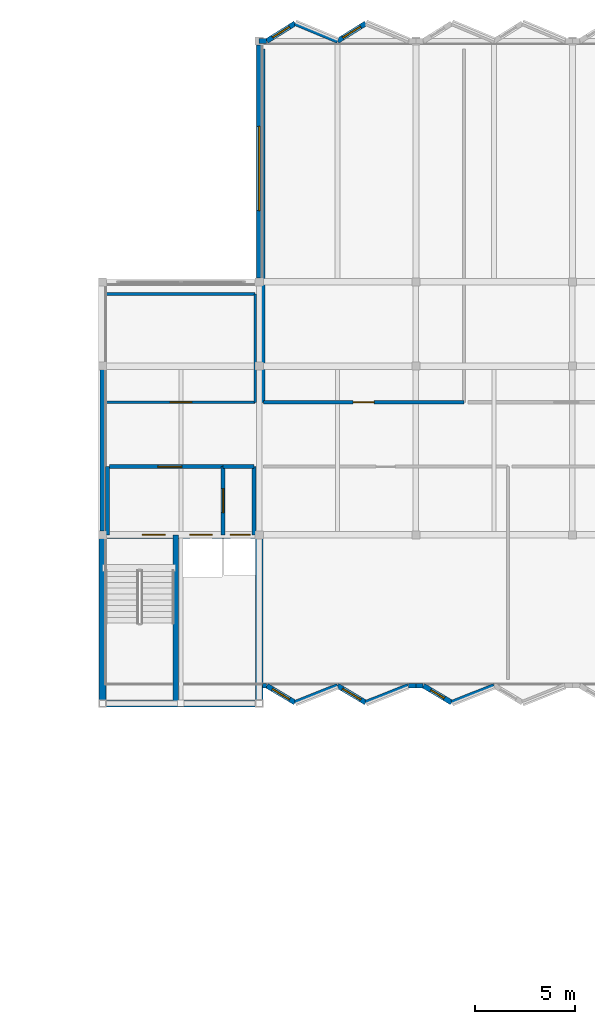
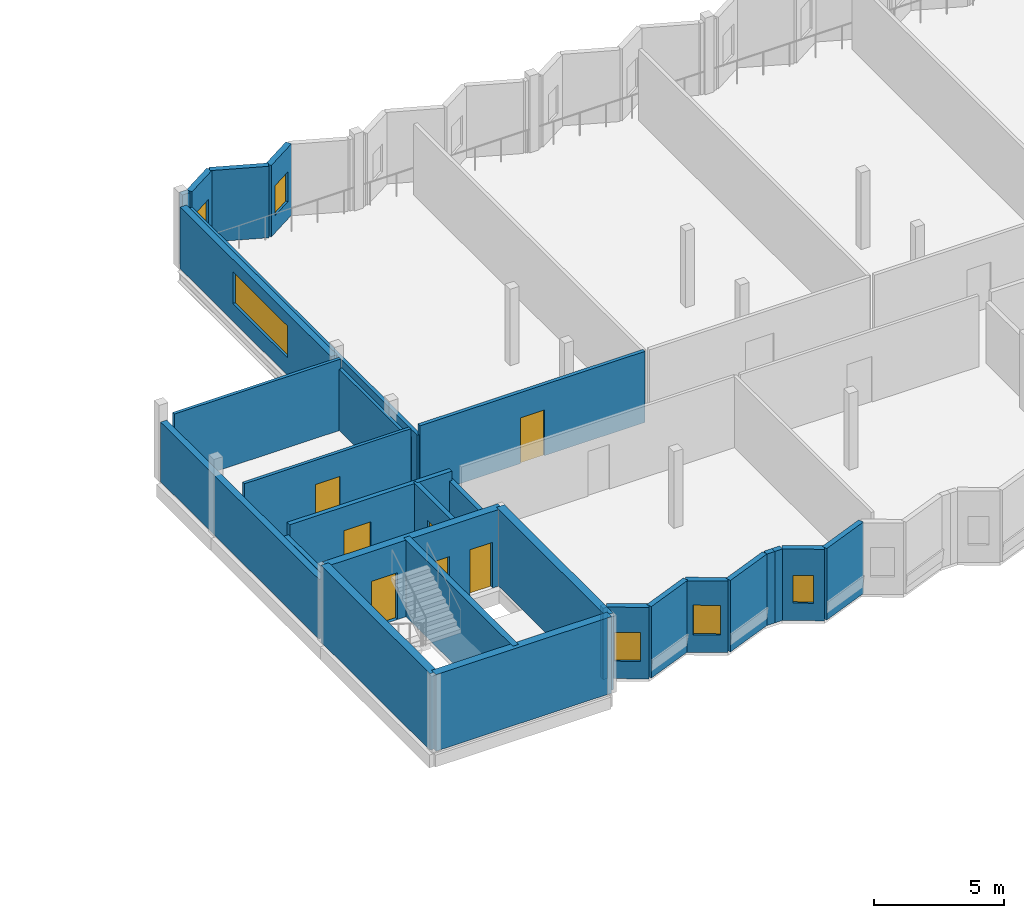
# One storey, part 7 of 15: 30 walls, 7 doors, 6 windows, 13 openings.
"""IFC4 building model written with IfcOpenShell, lengths in metres."""

from ifc_helpers import new_model, si_unit, direction, frame, frame_2d, origin, place, context, subcontext, project, spatial, rectangle, extrude, material, layer, layer_set, type_object, element, fill, save


model = new_model("IFC4")

# Units and contexts
model_context = context("Model", 3, precision=1e-05, world=origin(), true_north=direction((0.0, 1.0)))
body_context = subcontext(model_context, "Body", "Model", "MODEL_VIEW")
ifc_project = project(units=[si_unit("LENGTHUNIT", "METRE"), si_unit("AREAUNIT", "SQUARE_METRE"), si_unit("VOLUMEUNIT", "CUBIC_METRE"), si_unit("PLANEANGLEUNIT", "RADIAN"), si_unit("MASSUNIT", "GRAM", prefix="KILO")], contexts=[model_context])

# Site, building, storey
site_placement = place(None, origin())
site = spatial("IfcSite", under=ifc_project, at=site_placement, CompositionType="ELEMENT")
building_placement = place(site_placement, origin())
building = spatial("IfcBuilding", under=site, at=building_placement, Name="Vharandega Faculty of Natural Sciences", CompositionType="ELEMENT")
storey_placement = place(building_placement, frame((0.0, 0.0, 32.39990234375)))
storey = spatial("IfcBuildingStorey", under=building, at=storey_placement, Name="L08", CompositionType="ELEMENT", Elevation=32.39990234375)

# Walls
ifc_material_1 = material(Name="Concrete C40/50", Category="concrete")
ifc_layer_1 = layer(ifc_material_1, 0.35009765625, Name="Concrete C40/50")
ifc_layer_set_1 = layer_set([ifc_layer_1], Name="Concrete C40/50")
wall_type_1 = type_object("IfcWallType", Name="Core Shear Wall 350", PredefinedType="SHEAR", material=ifc_layer_set_1)
wall_1_placement = place(storey_placement, frame((114.800048828125, 64.0, 0.0), z_axis=(0.0, 0.0, 1.0), x_axis=(1.0, 0.0, 0.0)))
element("IfcWall", 1, at=wall_1_placement, inside=storey, type_object=wall_type_1, Name="Interior Wall CW-C1-L08-S", PredefinedType="SHEAR", context=body_context, shape_type="SweptSolid", body=[
    extrude(rectangle(XDim=7.800048828125, YDim=0.35009765625, at=frame_2d((3.89990234375, 0.0))), origin(), (0.0, 0.0, 1.0), 3.60009765625),
])
for number, where, z_axis, x_axis, name in (
    (2, (114.800048828125, 64.0, 0.0), (0.0, 0.0, 1.0), (0.0, 1.0, 0.0), "Interior Wall CW-C1-L08-W"),
    (3, (122.60009765625, 64.0, 0.0), (0.0, 0.0, 1.0), (0.0, 1.0, 0.0), "Interior Wall CW-C1-L08-E"),
):
    element("IfcWall", number, at=place(storey_placement, frame(where, z_axis=z_axis, x_axis=x_axis)), inside=storey, type_object=wall_type_1, Name=name, PredefinedType="SHEAR", context=body_context, shape_type="SweptSolid", body=[
        extrude(rectangle(XDim=8.39990234375, YDim=0.35009765625, at=frame_2d((4.199951171875, 0.0))), origin(), (0.0, 0.0, 1.0), 3.60009765625),
    ])

# Wall, openings, doors
wall_2_placement = place(storey_placement, frame((114.800048828125, 72.39990234375, 0.0), z_axis=(0.0, 0.0, 1.0), x_axis=(1.0, 0.0, 0.0)))
wall_2 = element("IfcWall", 4, at=wall_2_placement, inside=storey, type_object=wall_type_1, Name="Interior Wall CW-C1-L08-N", PredefinedType="SHEAR", context=body_context, shape_type="SweptSolid", body=[
    extrude(rectangle(XDim=7.800048828125, YDim=0.35009765625, at=frame_2d((3.89990234375, 0.0))), origin(), (0.0, 0.0, 1.0), 3.60009765625),
])
opening_1_placement = place(wall_2_placement, frame((1.97998046875, 0.0, 0.0)))
opening_1 = element("IfcOpeningElement", 5, at=opening_1_placement, cuts=wall_2, Name="Opening FD1", PredefinedType="OPENING", context=body_context, shape_type="SweptSolid", body=[
    extrude(rectangle(XDim=1.14990234375, YDim=2.199951171875, at=frame_2d((0.574951171875, 1.10009765625))), frame((0.0, 0.18505859375, 0.0), z_axis=(0.0, -1.0, 0.0), x_axis=(1.0, 0.0, 0.0)), (0.0, 0.0, 1.0), 0.3701171875),
])
opening_2_placement = place(wall_2_placement, frame((4.35009765625, 0.0, 0.0)))
opening_2 = element("IfcOpeningElement", 6, at=opening_2_placement, cuts=wall_2, Name="Opening LD-FL1-L08", PredefinedType="OPENING", context=body_context, shape_type="SweptSolid", body=[
    extrude(rectangle(XDim=1.10009765625, YDim=2.14990234375, at=frame_2d((0.550048828125, 1.074951171875))), frame((0.0, 0.18505859375, 0.0), z_axis=(0.0, -1.0, 0.0), x_axis=(1.0, 0.0, 0.0)), (0.0, 0.0, 1.0), 0.3701171875),
])
opening_3_placement = place(wall_2_placement, frame((6.360107421875, 0.0, 0.0)))
opening_3 = element("IfcOpeningElement", 7, at=opening_3_placement, cuts=wall_2, Name="Opening LD-LP1-L08", PredefinedType="OPENING", context=body_context, shape_type="SweptSolid", body=[
    extrude(rectangle(XDim=1.0, YDim=2.14990234375, at=frame_2d((0.5, 1.074951171875))), frame((0.0, 0.18505859375, 0.0), z_axis=(0.0, -1.0, 0.0), x_axis=(1.0, 0.0, 0.0)), (0.0, 0.0, 1.0), 0.3701171875),
])
ifc_material_2 = material(Name="Solid-core hardwood timber fire door", Category="wood")
door_type_1 = type_object("IfcDoorType", Name="FD1-STAIR-1150x2200", OperationType="NOTDEFINED", PredefinedType="DOOR", material=ifc_material_2)
door_1_placement = place(opening_1_placement, origin())
door_1 = element("IfcDoor", 8, at=door_1_placement, inside=storey, type_object=door_type_1, Name="Stair ST1 Fire Door FD1", OperationType="SINGLE_SWING_LEFT", OverallHeight=2.199951171875, OverallWidth=1.14990234375, PredefinedType="DOOR", context=body_context, shape_type="SweptSolid", body=[
    extrude(rectangle(XDim=1.14990234375, YDim=2.199951171875, at=frame_2d((0.574951171875, 1.10009765625))), frame((0.0, 0.02490234375, 0.0), z_axis=(0.0, -1.0, 0.0), x_axis=(1.0, 0.0, 0.0)), (0.0, 0.0, 1.0), 0.050048828125),
])
fill(opening_1, door_1)
ifc_material_3 = material(Name="Brushed stainless steel sliding landing door", Category="steel")
door_type_2 = type_object("IfcDoorType", Name="LD1-FFLIFT-SLIDING-1100x2150", OperationType="DOUBLE_DOOR_SLIDING", PredefinedType="DOOR", material=ifc_material_3)
door_2_placement = place(opening_2_placement, origin())
door_2 = element("IfcDoor", 9, at=door_2_placement, inside=storey, type_object=door_type_2, Name="Lift Landing Door LD-FL1-L08", OperationType="DOUBLE_DOOR_SLIDING", OverallHeight=2.14990234375, OverallWidth=1.10009765625, PredefinedType="DOOR", context=body_context, shape_type="SweptSolid", body=[
    extrude(rectangle(XDim=1.10009765625, YDim=2.14990234375, at=frame_2d((0.550048828125, 1.074951171875))), frame((0.0, 0.02490234375, 0.0), z_axis=(0.0, -1.0, 0.0), x_axis=(1.0, 0.0, 0.0)), (0.0, 0.0, 1.0), 0.050048828125),
])
fill(opening_2, door_2)
ifc_material_4 = material(Name="Brushed stainless steel sliding landing door", Category="steel")
door_type_3 = type_object("IfcDoorType", Name="LD2-PAXLIFT-SLIDING-1000x2150", OperationType="DOUBLE_DOOR_SLIDING", PredefinedType="DOOR", material=ifc_material_4)
door_3_placement = place(opening_3_placement, origin())
door_3 = element("IfcDoor", 10, at=door_3_placement, inside=storey, type_object=door_type_3, Name="Lift Landing Door LD-LP1-L08", OperationType="DOUBLE_DOOR_SLIDING", OverallHeight=2.14990234375, OverallWidth=1.0, PredefinedType="DOOR", context=body_context, shape_type="SweptSolid", body=[
    extrude(rectangle(XDim=1.0, YDim=2.14990234375, at=frame_2d((0.5, 1.074951171875))), frame((0.0, 0.02490234375, 0.0), z_axis=(0.0, -1.0, 0.0), x_axis=(1.0, 0.0, 0.0)), (0.0, 0.0, 1.0), 0.050048828125),
])
fill(opening_3, door_3)

# Wall, opening, door
ifc_material_5 = material(Name="Concrete C40/50", Category="concrete")
ifc_layer_2 = layer(ifc_material_5, 0.199951171875, Name="Concrete C40/50")
ifc_layer_set_2 = layer_set([ifc_layer_2], Name="Concrete C40/50")
wall_type_2 = type_object("IfcWallType", Name="Firefighting Lobby Wall 200", PredefinedType="PARTITIONING", material=ifc_layer_set_2)
wall_3_placement = place(storey_placement, frame((115.14990234375, 75.800048828125, 0.0), z_axis=(0.0, 0.0, 1.0), x_axis=(1.0, 0.0, 0.0)))
wall_3 = element("IfcWall", 11, at=wall_3_placement, inside=storey, type_object=wall_type_2, Name="Interior Wall PW-FFL-C1-L08-N", PredefinedType="PARTITIONING", context=body_context, shape_type="SweptSolid", body=[
    extrude(rectangle(XDim=5.650146484375, YDim=0.199951171875, at=frame_2d((2.8251953125, 0.0))), origin(), (0.0, 0.0, 1.0), 3.320068359375),
])
opening_4_placement = place(wall_3_placement, frame((2.39990234375, 0.0, 0.0)))
opening_4 = element("IfcOpeningElement", 12, at=opening_4_placement, cuts=wall_3, Name="Opening FD2", PredefinedType="OPENING", context=body_context, shape_type="SweptSolid", body=[
    extrude(rectangle(XDim=1.199951171875, YDim=2.199951171875, at=frame_2d((0.60009765625, 1.10009765625))), frame((0.0, 0.10986328125, 0.0), z_axis=(0.0, -1.0, 0.0), x_axis=(1.0, 0.0, 0.0)), (0.0, 0.0, 1.0), 0.219970703125),
])
ifc_material_6 = material(Name="Solid-core hardwood timber fire door", Category="wood")
door_type_4 = type_object("IfcDoorType", Name="FD2-FFLOBBY-1200x2200", OperationType="NOTDEFINED", PredefinedType="DOOR", material=ifc_material_6)
door_4_placement = place(opening_4_placement, origin())
door_4 = element("IfcDoor", 13, at=door_4_placement, inside=storey, type_object=door_type_4, Name="Firefighting Lobby C1 Door FD2", OperationType="SINGLE_SWING_LEFT", OverallHeight=2.199951171875, OverallWidth=1.199951171875, PredefinedType="DOOR", context=body_context, shape_type="SweptSolid", body=[
    extrude(rectangle(XDim=1.199951171875, YDim=2.199951171875, at=frame_2d((0.60009765625, 1.10009765625))), frame((0.0, 0.02490234375, 0.0), z_axis=(0.0, -1.0, 0.0), x_axis=(1.0, 0.0, 0.0)), (0.0, 0.0, 1.0), 0.050048828125),
])
fill(opening_4, door_4)

# Wall
wall_4_placement = place(storey_placement, frame((115.050048828125, 72.39990234375, 0.0), z_axis=(0.0, 0.0, 1.0), x_axis=(0.0, 1.0, 0.0)))
element("IfcWall", 14, at=wall_4_placement, inside=storey, type_object=wall_type_2, Name="Interior Wall PW-FFL-C1-L08-W", PredefinedType="PARTITIONING", context=body_context, shape_type="SweptSolid", body=[
    extrude(rectangle(XDim=3.400146484375, YDim=0.199951171875, at=frame_2d((1.7001953125, 0.0))), origin(), (0.0, 0.0, 1.0), 2.800048828125),
])

# Wall, opening, door
wall_5_placement = place(storey_placement, frame((120.800048828125, 72.39990234375, 0.0), z_axis=(0.0, 0.0, 1.0), x_axis=(0.0, 1.0, 0.0)))
wall_5 = element("IfcWall", 15, at=wall_5_placement, inside=storey, type_object=wall_type_2, Name="Interior Wall PW-FFL-C1-L08-E", PredefinedType="PARTITIONING", context=body_context, shape_type="SweptSolid", body=[
    extrude(rectangle(XDim=3.400146484375, YDim=0.199951171875, at=frame_2d((1.7001953125, 0.0))), origin(), (0.0, 0.0, 1.0), 3.320068359375),
])
opening_5_placement = place(wall_5_placement, frame((1.10009765625, 0.0, 0.0)))
opening_5 = element("IfcOpeningElement", 16, at=opening_5_placement, cuts=wall_5, Name="Opening FD2", PredefinedType="OPENING", context=body_context, shape_type="SweptSolid", body=[
    extrude(rectangle(XDim=1.199951171875, YDim=2.199951171875, at=frame_2d((0.60009765625, 1.10009765625))), frame((0.0, 0.10986328125, 0.0), z_axis=(0.0, -1.0, 0.0), x_axis=(1.0, 0.0, 0.0)), (0.0, 0.0, 1.0), 0.219970703125),
])
door_5_placement = place(opening_5_placement, origin())
door_5 = element("IfcDoor", 17, at=door_5_placement, inside=storey, type_object=door_type_4, Name="Lobby Interconnect C1 Door FD2", OperationType="SINGLE_SWING_RIGHT", OverallHeight=2.199951171875, OverallWidth=1.199951171875, PredefinedType="DOOR", context=body_context, shape_type="SweptSolid", body=[
    extrude(rectangle(XDim=1.199951171875, YDim=2.199951171875, at=frame_2d((0.60009765625, 1.10009765625))), frame((0.0, 0.02490234375, 0.0), z_axis=(0.0, -1.0, 0.0), x_axis=(1.0, 0.0, 0.0)), (0.0, 0.0, 1.0), 0.050048828125),
])
fill(opening_5, door_5)

# Walls
wall_6_placement = place(storey_placement, frame((120.800048828125, 75.800048828125, 0.0), z_axis=(0.0, 0.0, 1.0), x_axis=(1.0, 0.0, 0.0)))
element("IfcWall", 18, at=wall_6_placement, inside=storey, type_object=wall_type_2, Name="Interior Wall PW-LL-C1-L08-N", PredefinedType="PARTITIONING", context=body_context, shape_type="SweptSolid", body=[
    extrude(rectangle(XDim=1.550048828125, YDim=0.199951171875, at=frame_2d((0.77490234375, 0.0))), origin(), (0.0, 0.0, 1.0), 3.320068359375),
])
wall_7_placement = place(storey_placement, frame((122.35009765625, 72.39990234375, 0.0), z_axis=(0.0, 0.0, 1.0), x_axis=(0.0, 1.0, 0.0)))
element("IfcWall", 19, at=wall_7_placement, inside=storey, type_object=wall_type_2, Name="Interior Wall PW-LL-C1-L08-E", PredefinedType="PARTITIONING", context=body_context, shape_type="SweptSolid", body=[
    extrude(rectangle(XDim=3.400146484375, YDim=0.199951171875, at=frame_2d((1.7001953125, 0.0))), origin(), (0.0, 0.0, 1.0), 2.880126953125),
])

# Wall, opening, door
ifc_material_7 = material(Name="Gypsum fire-board on steel stud", Category="steel")
ifc_layer_3 = layer(ifc_material_7, 0.159912109375, Name="Gypsum fire-board on steel stud")
ifc_layer_set_3 = layer_set([ifc_layer_3], Name="Gypsum fire-board on steel stud")
wall_type_3 = type_object("IfcWallType", Name="Laboratory Fire Corridor Wall 160", PredefinedType="PARTITIONING", material=ifc_layer_set_3)
wall_8_placement = place(storey_placement, frame((122.800048828125, 79.0, 0.0), z_axis=(0.0, 0.0, 1.0), x_axis=(1.0, 0.0, 0.0)))
wall_8 = element("IfcWall", 20, at=wall_8_placement, inside=storey, type_object=wall_type_3, Name="Interior Wall PW-L08-R08S", PredefinedType="PARTITIONING", context=body_context, shape_type="SweptSolid", body=[
    extrude(rectangle(XDim=10.0, YDim=0.159912109375, at=frame_2d((5.0, 0.0))), origin(), (0.0, 0.0, 1.0), 3.340087890625),
])
opening_6_placement = place(wall_8_placement, frame((4.47509765625, 0.0, 0.0)))
opening_6 = element("IfcOpeningElement", 21, at=opening_6_placement, cuts=wall_8, Name="Opening FD4", PredefinedType="OPENING", context=body_context, shape_type="SweptSolid", body=[
    extrude(rectangle(XDim=1.050048828125, YDim=2.14990234375, at=frame_2d((0.52490234375, 1.074951171875))), frame((0.0, 0.08984375, 0.0), z_axis=(0.0, -1.0, 0.0), x_axis=(1.0, 0.0, 0.0)), (0.0, 0.0, 1.0), 0.179931640625),
])
ifc_material_8 = material(Name="Solid-core hardwood timber fire door", Category="wood")
door_type_5 = type_object("IfcDoorType", Name="FD4-LAB-SGL-1050x2150", OperationType="NOTDEFINED", PredefinedType="DOOR", material=ifc_material_8)
door_6_placement = place(opening_6_placement, origin())
door_6 = element("IfcDoor", 22, at=door_6_placement, inside=storey, type_object=door_type_5, Name="Geochemistry Isotope Research Laboratory Door FD4", OperationType="SINGLE_SWING_LEFT", OverallHeight=2.14990234375, OverallWidth=1.050048828125, PredefinedType="DOOR", context=body_context, shape_type="SweptSolid", body=[
    extrude(rectangle(XDim=1.050048828125, YDim=2.14990234375, at=frame_2d((0.52490234375, 1.074951171875))), frame((0.0, 0.02490234375, 0.0), z_axis=(0.0, -1.0, 0.0), x_axis=(1.0, 0.0, 0.0)), (0.0, 0.0, 1.0), 0.050048828125),
])
fill(opening_6, door_6)

# Walls
wall_9_placement = place(storey_placement, frame((122.800048828125, 79.0, 0.0), z_axis=(0.0, 0.0, 1.0), x_axis=(0.0, 1.0, 0.0)))
element("IfcWall", 23, at=wall_9_placement, inside=storey, type_object=wall_type_3, Name="Interior Wall PW-L08-R08W", PredefinedType="PARTITIONING", context=body_context, shape_type="SweptSolid", body=[
    extrude(rectangle(XDim=17.60009765625, YDim=0.159912109375, at=frame_2d((8.800048828125, 0.0))), origin(), (0.0, 0.0, 1.0), 2.880126953125),
])
ifc_material_9 = material(Name="Concrete C40/50", Category="concrete")
ifc_layer_4 = layer(ifc_material_9, 0.260009765625, Name="Concrete C40/50")
ifc_layer_set_4 = layer_set([ifc_layer_4], Name="Concrete C40/50")
wall_type_4 = type_object("IfcWallType", Name="Lift Shaft Shear Wall 260", PredefinedType="SHEAR", material=ifc_layer_set_4)
wall_10_placement = place(storey_placement, frame((118.43994140625, 64.0, 0.0), z_axis=(0.0, 0.0, 1.0), x_axis=(0.0, 1.0, 0.0)))
element("IfcWall", 24, at=wall_10_placement, inside=storey, type_object=wall_type_4, Name="Interior Wall CW-C1-L08-DIV", PredefinedType="SHEAR", context=body_context, shape_type="SweptSolid", body=[
    extrude(rectangle(XDim=8.39990234375, YDim=0.260009765625, at=frame_2d((4.199951171875, 0.0))), origin(), (0.0, 0.0, 1.0), 3.60009765625),
])

# Wall, opening, door
ifc_material_10 = material(Name="Gypsum acoustic partition", Category="gypsum")
ifc_layer_5 = layer(ifc_material_10, 0.139892578125, Name="Gypsum acoustic partition")
ifc_layer_set_5 = layer_set([ifc_layer_5], Name="Gypsum acoustic partition")
wall_type_5 = type_object("IfcWallType", Name="Room Partition Wall 140", PredefinedType="PARTITIONING", material=ifc_layer_set_5)
wall_11_placement = place(storey_placement, frame((115.0, 79.0, 0.0), z_axis=(0.0, 0.0, 1.0), x_axis=(1.0, 0.0, 0.0)))
wall_11 = element("IfcWall", 25, at=wall_11_placement, inside=storey, type_object=wall_type_5, Name="Interior Wall PW-L08-R01S", PredefinedType="PARTITIONING", context=body_context, shape_type="SweptSolid", body=[
    extrude(rectangle(XDim=7.39990234375, YDim=0.139892578125, at=frame_2d((3.699951171875, 0.0))), origin(), (0.0, 0.0, 1.0), 3.340087890625),
])
opening_7_placement = place(wall_11_placement, frame((3.159912109375, 0.0, 0.0)))
opening_7 = element("IfcOpeningElement", 26, at=opening_7_placement, cuts=wall_11, Name="Opening D0351", PredefinedType="OPENING", context=body_context, shape_type="SweptSolid", body=[
    extrude(rectangle(XDim=1.080078125, YDim=2.199951171875, at=frame_2d((0.5400390625, 1.10009765625))), frame((0.0, 0.080078125, 0.0), z_axis=(0.0, -1.0, 0.0), x_axis=(1.0, 0.0, 0.0)), (0.0, 0.0, 1.0), 0.159912109375),
])
ifc_material_11 = material(Name="Solid-core hardwood timber fire door", Category="wood")
door_type_6 = type_object("IfcDoorType", Name="ID03-SEMINAR-1080x2200", OperationType="NOTDEFINED", PredefinedType="DOOR", material=ifc_material_11)
door_7_placement = place(opening_7_placement, origin())
door_7 = element("IfcDoor", 27, at=door_7_placement, inside=storey, type_object=door_type_6, Name="Geochemistry Clean-Room Balance Room Door D0351", OperationType="SINGLE_SWING_RIGHT", OverallHeight=2.199951171875, OverallWidth=1.080078125, PredefinedType="DOOR", context=body_context, shape_type="SweptSolid", body=[
    extrude(rectangle(XDim=1.080078125, YDim=2.199951171875, at=frame_2d((0.5400390625, 1.10009765625))), frame((0.0, 0.02490234375, 0.0), z_axis=(0.0, -1.0, 0.0), x_axis=(1.0, 0.0, 0.0)), (0.0, 0.0, 1.0), 0.050048828125),
])
fill(opening_7, door_7)

# Walls
wall_12_placement = place(storey_placement, frame((115.0, 84.39990234375, 0.0), z_axis=(0.0, 0.0, 1.0), x_axis=(1.0, 0.0, 0.0)))
element("IfcWall", 28, at=wall_12_placement, inside=storey, type_object=wall_type_5, Name="Interior Wall PW-L08-R01N", PredefinedType="PARTITIONING", context=body_context, shape_type="SweptSolid", body=[
    extrude(rectangle(XDim=7.39990234375, YDim=0.139892578125, at=frame_2d((3.699951171875, 0.0))), origin(), (0.0, 0.0, 1.0), 3.340087890625),
])
wall_13_placement = place(storey_placement, frame((122.39990234375, 79.0, 0.0), z_axis=(0.0, 0.0, 1.0), x_axis=(0.0, 1.0, 0.0)))
element("IfcWall", 29, at=wall_13_placement, inside=storey, type_object=wall_type_5, Name="Interior Wall PW-L08-R01E", PredefinedType="PARTITIONING", context=body_context, shape_type="SweptSolid", body=[
    extrude(rectangle(XDim=5.39990234375, YDim=0.139892578125, at=frame_2d((2.699951171875, 0.0))), origin(), (0.0, 0.0, 1.0), 2.880126953125),
])

# Wall, opening, window
ifc_material_12 = material(Name="Precast concrete C40/50", Category="concrete")
ifc_layer_6 = layer(ifc_material_12, 0.25, Name="Precast concrete C40/50")
ifc_layer_set_6 = layer_set([ifc_layer_6], Name="Precast concrete C40/50")
wall_type_6 = type_object("IfcWallType", Name="Sawtooth Glazed-Face Precast Wall 250", PredefinedType="SOLIDWALL", material=ifc_layer_set_6)
wall_14_placement = place(storey_placement, frame((122.97998046875, 97.0, 0.0), z_axis=(0.0, 0.0, 1.0), x_axis=(0.848023086369, 0.529959286158, 0.0)))
wall_14 = element("IfcWall", 30, at=wall_14_placement, inside=storey, type_object=wall_type_6, Name="Exterior Wall EW-SAW-L08-N01G", PredefinedType="SOLIDWALL", context=body_context, shape_type="SweptSolid", body=[
    extrude(rectangle(XDim=1.660400390625, YDim=0.25, at=frame_2d((0.830078125, 0.0))), origin(), (0.0, 0.0, 1.0), 3.360107421875),
])
opening_8_placement = place(wall_14_placement, frame((0.330078125, 0.0, 0.820068359375)))
opening_8 = element("IfcOpeningElement", 31, at=opening_8_placement, cuts=wall_14, Name="Opening WN-05", PredefinedType="OPENING", context=body_context, shape_type="SweptSolid", body=[
    extrude(rectangle(XDim=1.0, YDim=1.35009765625, at=frame_2d((0.5, 0.675048828125))), frame((0.0, 0.135009765625, 0.0), z_axis=(0.0, -1.0, 0.0), x_axis=(1.0, 0.0, 0.0)), (0.0, 0.0, 1.0), 0.27001953125),
])
ifc_material_13 = material(Name="Double-glazed solar-control glass in thermally broken aluminium frame", Category="aluminium")
window_type_1 = type_object("IfcWindowType", Name="WIN-SAW-100x135", PartitioningType="SINGLE_PANEL", PredefinedType="WINDOW", material=ifc_material_13)
window_1_placement = place(opening_8_placement, origin())
window_1 = element("IfcWindow", 32, at=window_1_placement, inside=storey, type_object=window_type_1, Name="Window WIN-L08-0069", OverallHeight=1.35009765625, OverallWidth=1.0, PartitioningType="SINGLE_PANEL", PredefinedType="WINDOW", context=body_context, shape_type="SweptSolid", body=[
    extrude(rectangle(XDim=1.0, YDim=1.35009765625, at=frame_2d((0.5, 0.675048828125))), frame((0.0, 0.030029296875, 0.0), z_axis=(0.0, -1.0, 0.0), x_axis=(1.0, 0.0, 0.0)), (0.0, 0.0, 1.0), 0.06005859375),
])
fill(opening_8, window_1)

wall_15_placement = place(storey_placement, frame((126.5, 97.0, 0.0), z_axis=(0.0, 0.0, 1.0), x_axis=(0.848023086369, 0.529959286158, 0.0)))
wall_15 = element("IfcWall", 33, at=wall_15_placement, inside=storey, type_object=wall_type_6, Name="Exterior Wall EW-SAW-L08-N02G", PredefinedType="SOLIDWALL", context=body_context, shape_type="SweptSolid", body=[
    extrude(rectangle(XDim=1.660400390625, YDim=0.25, at=frame_2d((0.830078125, 0.0))), origin(), (0.0, 0.0, 1.0), 3.360107421875),
])
opening_9_placement = place(wall_15_placement, frame((0.30517578125, 0.0, 0.820068359375)))
opening_9 = element("IfcOpeningElement", 34, at=opening_9_placement, cuts=wall_15, Name="Opening WN-06", PredefinedType="OPENING", context=body_context, shape_type="SweptSolid", body=[
    extrude(rectangle(XDim=1.050048828125, YDim=1.39990234375, at=frame_2d((0.52490234375, 0.699951171875))), frame((0.0, 0.135009765625, 0.0), z_axis=(0.0, -1.0, 0.0), x_axis=(1.0, 0.0, 0.0)), (0.0, 0.0, 1.0), 0.27001953125),
])
ifc_material_14 = material(Name="Double-glazed solar-control glass in thermally broken aluminium frame", Category="aluminium")
window_type_2 = type_object("IfcWindowType", Name="WIN-SAW-105x140", PartitioningType="SINGLE_PANEL", PredefinedType="WINDOW", material=ifc_material_14)
window_2_placement = place(opening_9_placement, origin())
window_2 = element("IfcWindow", 35, at=window_2_placement, inside=storey, type_object=window_type_2, Name="Window WIN-L08-0070", OverallHeight=1.39990234375, OverallWidth=1.050048828125, PartitioningType="SINGLE_PANEL", PredefinedType="WINDOW", context=body_context, shape_type="SweptSolid", body=[
    extrude(rectangle(XDim=1.050048828125, YDim=1.39990234375, at=frame_2d((0.52490234375, 0.699951171875))), frame((0.0, 0.030029296875, 0.0), z_axis=(0.0, -1.0, 0.0), x_axis=(1.0, 0.0, 0.0)), (0.0, 0.0, 1.0), 0.06005859375),
])
fill(opening_9, window_2)

wall_16_placement = place(storey_placement, frame((124.387939453125, 64.0400390625, 0.0), z_axis=(0.0, 0.0, 1.0), x_axis=(-0.858817206091, 0.512282155185, 0.0)))
wall_16 = element("IfcWall", 36, at=wall_16_placement, inside=storey, type_object=wall_type_6, Name="Exterior Wall EW-SAW-L08-S01G", PredefinedType="SOLIDWALL", context=body_context, shape_type="SweptSolid", body=[
    extrude(rectangle(XDim=1.639404296875, YDim=0.25, at=frame_2d((0.81982421875, 0.0))), origin(), (0.0, 0.0, 1.0), 3.360107421875),
])
opening_10_placement = place(wall_16_placement, frame((0.31982421875, 0.0, 0.820068359375)))
opening_10 = element("IfcOpeningElement", 37, at=opening_10_placement, cuts=wall_16, Name="Opening WN-05", PredefinedType="OPENING", context=body_context, shape_type="SweptSolid", body=[
    extrude(rectangle(XDim=1.0, YDim=1.35009765625, at=frame_2d((0.5, 0.675048828125))), frame((0.0, 0.135009765625, 0.0), z_axis=(0.0, -1.0, 0.0), x_axis=(1.0, 0.0, 0.0)), (0.0, 0.0, 1.0), 0.27001953125),
])
window_3_placement = place(opening_10_placement, origin())
window_3 = element("IfcWindow", 38, at=window_3_placement, inside=storey, type_object=window_type_1, Name="Window WIN-L08-0079", OverallHeight=1.35009765625, OverallWidth=1.0, PartitioningType="SINGLE_PANEL", PredefinedType="WINDOW", context=body_context, shape_type="SweptSolid", body=[
    extrude(rectangle(XDim=1.0, YDim=1.35009765625, at=frame_2d((0.5, 0.675048828125))), frame((0.0, 0.030029296875, 0.0), z_axis=(0.0, -1.0, 0.0), x_axis=(1.0, 0.0, 0.0)), (0.0, 0.0, 1.0), 0.06005859375),
])
fill(opening_10, window_3)

wall_17_placement = place(storey_placement, frame((127.907958984375, 64.0400390625, 0.0), z_axis=(0.0, 0.0, 1.0), x_axis=(-0.858817206091, 0.512282155185, 0.0)))
wall_17 = element("IfcWall", 39, at=wall_17_placement, inside=storey, type_object=wall_type_6, Name="Exterior Wall EW-SAW-L08-S02G", PredefinedType="SOLIDWALL", context=body_context, shape_type="SweptSolid", body=[
    extrude(rectangle(XDim=1.639404296875, YDim=0.25, at=frame_2d((0.81982421875, 0.0))), origin(), (0.0, 0.0, 1.0), 3.360107421875),
])
opening_11_placement = place(wall_17_placement, frame((0.294921875, 0.0, 0.820068359375)))
opening_11 = element("IfcOpeningElement", 40, at=opening_11_placement, cuts=wall_17, Name="Opening WN-06", PredefinedType="OPENING", context=body_context, shape_type="SweptSolid", body=[
    extrude(rectangle(XDim=1.050048828125, YDim=1.39990234375, at=frame_2d((0.52490234375, 0.699951171875))), frame((0.0, 0.135009765625, 0.0), z_axis=(0.0, -1.0, 0.0), x_axis=(1.0, 0.0, 0.0)), (0.0, 0.0, 1.0), 0.27001953125),
])
window_4_placement = place(opening_11_placement, origin())
window_4 = element("IfcWindow", 41, at=window_4_placement, inside=storey, type_object=window_type_2, Name="Window WIN-L08-0080", OverallHeight=1.39990234375, OverallWidth=1.050048828125, PartitioningType="SINGLE_PANEL", PredefinedType="WINDOW", context=body_context, shape_type="SweptSolid", body=[
    extrude(rectangle(XDim=1.050048828125, YDim=1.39990234375, at=frame_2d((0.52490234375, 0.699951171875))), frame((0.0, 0.030029296875, 0.0), z_axis=(0.0, -1.0, 0.0), x_axis=(1.0, 0.0, 0.0)), (0.0, 0.0, 1.0), 0.06005859375),
])
fill(opening_11, window_4)

wall_18_placement = place(storey_placement, frame((132.18798828125, 64.0400390625, 0.0), z_axis=(0.0, 0.0, 1.0), x_axis=(-0.858817206091, 0.512282155185, 0.0)))
wall_18 = element("IfcWall", 42, at=wall_18_placement, inside=storey, type_object=wall_type_6, Name="Exterior Wall EW-SAW-L08-S03G", PredefinedType="SOLIDWALL", context=body_context, shape_type="SweptSolid", body=[
    extrude(rectangle(XDim=1.639404296875, YDim=0.25, at=frame_2d((0.81982421875, 0.0))), origin(), (0.0, 0.0, 1.0), 3.360107421875),
])
opening_12_placement = place(wall_18_placement, frame((0.4296875, 0.0, 0.820068359375)))
opening_12 = element("IfcOpeningElement", 43, at=opening_12_placement, cuts=wall_18, Name="Opening WN-06A", PredefinedType="OPENING", context=body_context, shape_type="SweptSolid", body=[
    extrude(rectangle(XDim=0.780029296875, YDim=1.300048828125, at=frame_2d((0.39013671875, 0.64990234375))), frame((0.0, 0.135009765625, 0.0), z_axis=(0.0, -1.0, 0.0), x_axis=(1.0, 0.0, 0.0)), (0.0, 0.0, 1.0), 0.27001953125),
])
ifc_material_15 = material(Name="Double-glazed solar-control glass in thermally broken aluminium frame", Category="aluminium")
window_type_3 = type_object("IfcWindowType", Name="WIN-SAW-078x130", PartitioningType="SINGLE_PANEL", PredefinedType="WINDOW", material=ifc_material_15)
window_5_placement = place(opening_12_placement, origin())
window_5 = element("IfcWindow", 44, at=window_5_placement, inside=storey, type_object=window_type_3, Name="Window WIN-L08-0081", OverallHeight=1.300048828125, OverallWidth=0.780029296875, PartitioningType="SINGLE_PANEL", PredefinedType="WINDOW", context=body_context, shape_type="SweptSolid", body=[
    extrude(rectangle(XDim=0.780029296875, YDim=1.300048828125, at=frame_2d((0.39013671875, 0.64990234375))), frame((0.0, 0.030029296875, 0.0), z_axis=(0.0, -1.0, 0.0), x_axis=(1.0, 0.0, 0.0)), (0.0, 0.0, 1.0), 0.06005859375),
])
fill(opening_12, window_5)

# Walls
ifc_material_16 = material(Name="Precast concrete C40/50", Category="concrete")
ifc_layer_7 = layer(ifc_material_16, 0.22998046875, Name="Precast concrete C40/50")
ifc_layer_set_7 = layer_set([ifc_layer_7], Name="Precast concrete C40/50")
wall_type_7 = type_object("IfcWallType", Name="Sawtooth Solid White Precast Wall 230", PredefinedType="SOLIDWALL", material=ifc_layer_set_7)
wall_19_placement = place(storey_placement, frame((122.60009765625, 97.0, 0.0), z_axis=(0.0, 0.0, 1.0), x_axis=(1.0, 0.0, 0.0)))
element("IfcWall", 45, at=wall_19_placement, inside=storey, type_object=wall_type_7, Name="Exterior Wall EW-SHL-L08-N16L", PredefinedType="SOLIDWALL", context=body_context, shape_type="SweptSolid", body=[
    extrude(rectangle(XDim=0.349853515625, YDim=0.22998046875, at=frame_2d((0.1748046875, 0.0))), origin(), (0.0, 0.0, 1.0), 3.360107421875),
])
wall_20_placement = place(storey_placement, frame((122.949951171875, 64.8798828125, 0.0), z_axis=(0.0, 0.0, 1.0), x_axis=(-1.0, 0.0, 0.0)))
element("IfcWall", 46, at=wall_20_placement, inside=storey, type_object=wall_type_7, Name="Exterior Wall EW-SHL-L08-S1617FL", PredefinedType="SOLIDWALL", context=body_context, shape_type="SweptSolid", body=[
    extrude(rectangle(XDim=0.179931640625, YDim=0.22998046875, at=frame_2d((0.08984375, 0.0))), origin(), (0.0, 0.0, 1.0), 3.360107421875),
])
wall_21_placement = place(storey_placement, frame((130.39990234375, 64.8798828125, 0.0), z_axis=(0.0, 0.0, 1.0), x_axis=(-1.0, 0.0, 0.0)))
element("IfcWall", 47, at=wall_21_placement, inside=storey, type_object=wall_type_7, Name="Exterior Wall EW-SHL-L08-S1617FR", PredefinedType="SOLIDWALL", context=body_context, shape_type="SweptSolid", body=[
    extrude(rectangle(XDim=0.35986328125, YDim=0.22998046875, at=frame_2d((0.179931640625, 0.0))), origin(), (0.0, 0.0, 1.0), 3.360107421875),
])
wall_22_placement = place(storey_placement, frame((130.75, 64.8798828125, 0.0), z_axis=(0.0, 0.0, 1.0), x_axis=(-1.0, 0.0, 0.0)))
element("IfcWall", 48, at=wall_22_placement, inside=storey, type_object=wall_type_7, Name="Exterior Wall EW-SHL-L08-S1718FL", PredefinedType="SOLIDWALL", context=body_context, shape_type="SweptSolid", body=[
    extrude(rectangle(XDim=0.35009765625, YDim=0.22998046875, at=frame_2d((0.175048828125, 0.0))), origin(), (0.0, 0.0, 1.0), 3.360107421875),
])
wall_23_placement = place(storey_placement, frame((124.387939453125, 97.8798828125, 0.0), z_axis=(0.0, 0.0, 1.0), x_axis=(0.92309902008, -0.384562347517, 0.0)))
element("IfcWall", 49, at=wall_23_placement, inside=storey, type_object=wall_type_7, Name="Exterior Wall EW-SAW-L08-N01S", PredefinedType="SOLIDWALL", context=body_context, shape_type="SweptSolid", body=[
    extrude(rectangle(XDim=2.2880859375, YDim=0.22998046875, at=frame_2d((1.14404296875, 0.0))), origin(), (0.0, 0.0, 1.0), 3.360107421875),
])
for number, where, z_axis, x_axis, name in (
    (50, (126.5, 64.8798828125, 0.0), (0.0, 0.0, 1.0), (-0.929230364612, -0.369500919462, 0.0), "Exterior Wall EW-SAW-L08-S01S"),
    (51, (130.02001953125, 64.8798828125, 0.0), (0.0, 0.0, 1.0), (-0.929230364612, -0.369500919462, 0.0), "Exterior Wall EW-SAW-L08-S02S"),
    (52, (134.300048828125, 64.8798828125, 0.0), (0.0, 0.0, 1.0), (-0.929230364612, -0.369500919462, 0.0), "Exterior Wall EW-SAW-L08-S03S"),
):
    element("IfcWall", number, at=place(storey_placement, frame(where, z_axis=z_axis, x_axis=x_axis)), inside=storey, type_object=wall_type_7, Name=name, PredefinedType="SOLIDWALL", context=body_context, shape_type="SweptSolid", body=[
        extrude(rectangle(XDim=2.27294921875, YDim=0.22998046875, at=frame_2d((1.136474609375, 0.0))), origin(), (0.0, 0.0, 1.0), 3.360107421875),
    ])

# Wall, opening, window
ifc_material_17 = material(Name="Precast concrete C40/50", Category="concrete")
ifc_layer_8 = layer(ifc_material_17, 0.280029296875, Name="Precast concrete C40/50")
ifc_layer_set_8 = layer_set([ifc_layer_8], Name="Precast concrete C40/50")
wall_type_8 = type_object("IfcWallType", Name="White Precast End Wall 280", PredefinedType="SOLIDWALL", material=ifc_layer_set_8)
wall_24_placement = place(storey_placement, frame((122.60009765625, 85.197998046875, 0.0), z_axis=(0.0, 0.0, 1.0), x_axis=(0.0, 1.0, 0.0)))
wall_24 = element("IfcWall", 53, at=wall_24_placement, inside=storey, type_object=wall_type_8, Name="Exterior Wall EW-L08-V4CW", PredefinedType="SOLIDWALL", context=body_context, shape_type="SweptSolid", body=[
    extrude(rectangle(XDim=11.60400390625, YDim=0.280029296875, at=frame_2d((5.802001953125, 0.0))), origin(), (0.0, 0.0, 1.0), 2.900146484375),
])
opening_13_placement = place(wall_24_placement, frame((3.35205078125, 0.0, 0.820068359375)))
opening_13 = element("IfcOpeningElement", 54, at=opening_13_placement, cuts=wall_24, Name="Opening WN-15A", PredefinedType="OPENING", context=body_context, shape_type="SweptSolid", body=[
    extrude(rectangle(XDim=4.199951171875, YDim=1.5, at=frame_2d((2.10009765625, 0.75))), frame((0.0, 0.14990234375, 0.0), z_axis=(0.0, -1.0, 0.0), x_axis=(1.0, 0.0, 0.0)), (0.0, 0.0, 1.0), 0.300048828125),
])
ifc_material_18 = material(Name="Double-glazed solar-control glass in thermally broken aluminium frame", Category="aluminium")
window_type_4 = type_object("IfcWindowType", Name="WIN-MON-420x150", PartitioningType="DOUBLE_PANEL_VERTICAL", PredefinedType="WINDOW", material=ifc_material_18)
window_6_placement = place(opening_13_placement, origin())
window_6 = element("IfcWindow", 55, at=window_6_placement, inside=storey, type_object=window_type_4, Name="Window WIN-L08-0068", OverallHeight=1.5, OverallWidth=4.199951171875, PartitioningType="SINGLE_PANEL", PredefinedType="WINDOW", context=body_context, shape_type="SweptSolid", body=[
    extrude(rectangle(XDim=4.199951171875, YDim=1.5, at=frame_2d((2.10009765625, 0.75))), frame((0.0, 0.030029296875, 0.0), z_axis=(0.0, -1.0, 0.0), x_axis=(1.0, 0.0, 0.0)), (0.0, 0.0, 1.0), 0.06005859375),
])
fill(opening_13, window_6)

# Wall
wall_25_placement = place(storey_placement, frame((114.800048828125, 72.597900390625, 0.0), z_axis=(0.0, 0.0, 1.0), x_axis=(0.0, 1.0, 0.0)))
element("IfcWall", 56, at=wall_25_placement, inside=storey, type_object=wall_type_8, Name="Exterior Wall EW-L08-V4C1W", PredefinedType="SOLIDWALL", context=body_context, shape_type="SweptSolid", body=[
    extrude(rectangle(XDim=12.2041015625, YDim=0.280029296875, at=frame_2d((6.10205078125, 0.0))), origin(), (0.0, 0.0, 1.0), 2.800048828125),
])

save(model, "model.ifc")
